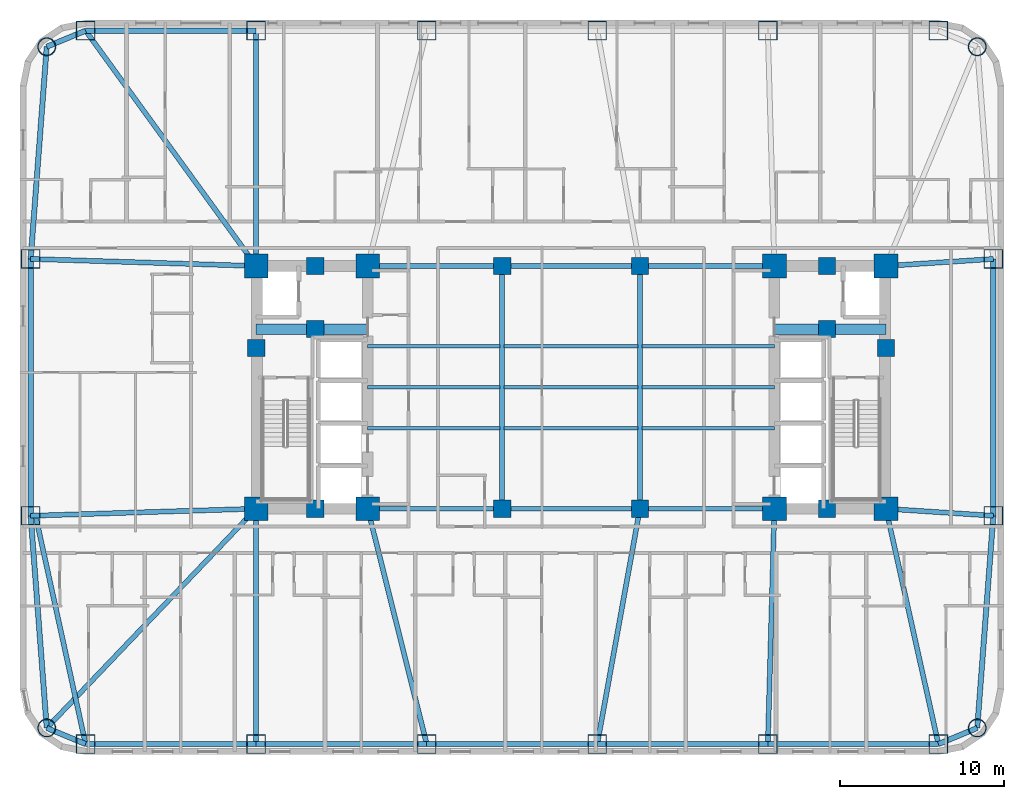
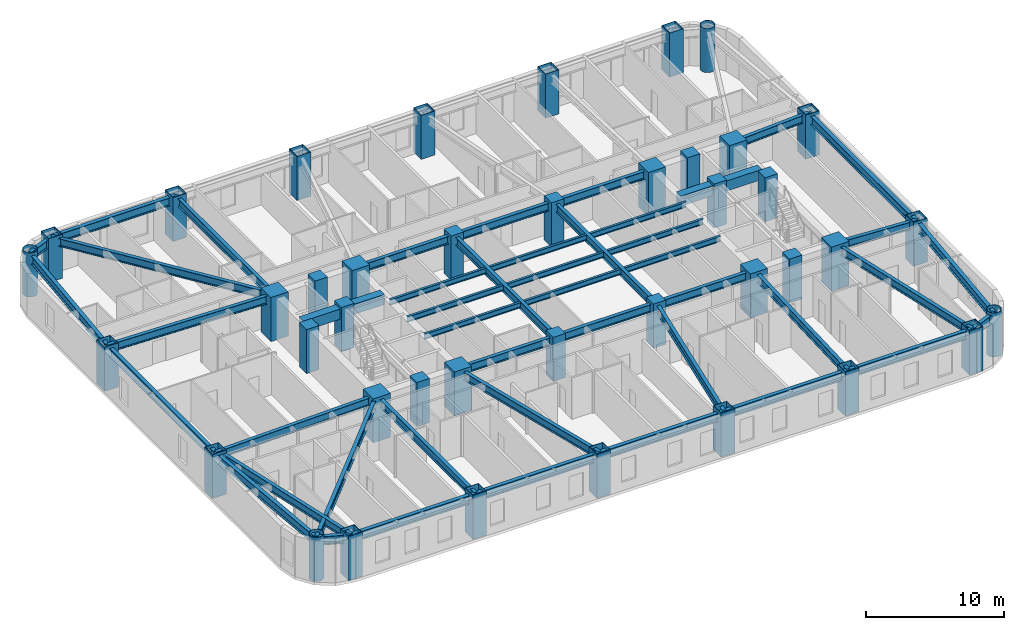
# One storey, part 1 of 11: 46 beams, 40 columns.
"""IFC4 building model written with IfcOpenShell, lengths in metres."""

from ifc_helpers import new_model, si_unit, direction, frame, origin, origin_2d, place, context, subcontext, project, spatial, rectangle, hollow_rectangle, hollow_circle, i_section, extrude, material, material_profile, profile_set, type_object, element, save


model = new_model("IFC4")

# Units and contexts
model_context = context("Model", 3, precision=1e-05, world=origin(), true_north=direction((0.0, 1.0)))
body_context = subcontext(model_context, "Body", "Model", "MODEL_VIEW")
ifc_project = project(units=[si_unit("LENGTHUNIT", "METRE"), si_unit("AREAUNIT", "SQUARE_METRE"), si_unit("VOLUMEUNIT", "CUBIC_METRE"), si_unit("PLANEANGLEUNIT", "RADIAN"), si_unit("MASSUNIT", "GRAM", prefix="KILO")], contexts=[model_context])

# Site, building, storey
site_placement = place(None, origin())
site = spatial("IfcSite", under=ifc_project, at=site_placement, CompositionType="ELEMENT")
building_placement = place(site_placement, origin())
building = spatial("IfcBuilding", under=site, at=building_placement, Name="Voryun Gate Residences", CompositionType="ELEMENT")
storey_placement = place(building_placement, frame((0.0, 0.0, 33.800048828125)))
storey = spatial("IfcBuildingStorey", under=building, at=storey_placement, Name="L07", CompositionType="ELEMENT", Elevation=33.800048828125)

# Columns
ifc_material_1 = material(Name="Concrete C50/60", Category="concrete")
ifc_material_profile_1 = material_profile(ifc_material_1, rectangle(XDim=1.050048828125, YDim=1.050048828125, at=origin_2d()), Name="RC-1050x1050")
ifc_profile_set_1 = profile_set([ifc_material_profile_1], Name="Concrete C50/60")
column_type_1 = type_object("IfcColumnType", Name="COL_CORE_1050", PredefinedType="COLUMN", material=ifc_profile_set_1)
for number, where, z_axis, x_axis, name in (
    (1, (-19.199951171875, 2.39990234375, 0.0), (0.0, 0.0, 1.0), (1.0, 0.0, 0.0), "L07 Core boundary column WC-MW"),
    (2, (-15.60009765625, -7.39990234375, 0.0), (0.0, 0.0, 1.0), (1.0, 0.0, 0.0), "L07 Core boundary column WC-SM"),
    (3, (-15.60009765625, 7.39990234375, 0.0), (0.0, 0.0, 1.0), (1.0, 0.0, 0.0), "L07 Core boundary column WC-NM"),
    (4, (-15.60009765625, 3.550048828125, 0.0), (0.0, 0.0, 1.0), (1.0, 0.0, 0.0), "L07 Core boundary column WC-MM"),
    (5, (15.60009765625, 3.550048828125, 0.0), (0.0, 0.0, 1.0), (1.0, 0.0, 0.0), "L07 Core boundary column EC-MM"),
    (6, (15.60009765625, -7.39990234375, 0.0), (0.0, 0.0, 1.0), (1.0, 0.0, 0.0), "L07 Core boundary column EC-SM"),
    (7, (15.60009765625, 7.39990234375, 0.0), (0.0, 0.0, 1.0), (1.0, 0.0, 0.0), "L07 Core boundary column EC-NM"),
    (8, (19.199951171875, 2.39990234375, 0.0), (0.0, 0.0, 1.0), (1.0, 0.0, 0.0), "L07 Core boundary column EC-ME"),
    (9, (-4.199951171875, -7.39990234375, 0.0), (0.0, 0.0, 1.0), (1.0, 0.0, 0.0), "L07 Interior spine column SP-WS"),
    (10, (-4.199951171875, 7.39990234375, 0.0), (0.0, 0.0, 1.0), (1.0, 0.0, 0.0), "L07 Interior spine column SP-WN"),
    (11, (4.199951171875, -7.39990234375, 0.0), (0.0, 0.0, 1.0), (1.0, 0.0, 0.0), "L07 Interior spine column SP-ES"),
    (12, (4.199951171875, 7.39990234375, 0.0), (0.0, 0.0, 1.0), (1.0, 0.0, 0.0), "L07 Interior spine column SP-EN"),
):
    element("IfcColumn", number, at=place(storey_placement, frame(where, z_axis=z_axis, x_axis=x_axis)), inside=storey, type_object=column_type_1, Name=name, PredefinedType="COLUMN", context=body_context, shape_type="SweptSolid", body=[
        extrude(rectangle(XDim=1.050048828125, YDim=1.050048828125, at=origin_2d()), origin(), (0.0, 0.0, 1.0), 3.89990234375),
    ])
ifc_material_2 = material(Name="Steel SM420", Category="steel")
ifc_material_profile_2 = material_profile(ifc_material_2, hollow_circle(Radius=0.550048828125, WallThickness=0.035888671875, at=origin_2d()), Name="CHS-1100x36")
ifc_profile_set_2 = profile_set([ifc_material_profile_2], Name="Steel SM420")
column_type_2 = type_object("IfcColumnType", Name="COL_CRN_1100", PredefinedType="COLUMN", material=ifc_profile_set_2)
for number, where, z_axis, x_axis, name in (
    (13, (24.768798828125, -20.768798828125, 0.0), (0.0, 0.0, 1.0), (1.0, 0.0, 0.0), "L07 Exoskeleton column CSE"),
    (14, (24.768798828125, 20.768798828125, 0.0), (0.0, 0.0, 1.0), (1.0, 0.0, 0.0), "L07 Exoskeleton column CNE"),
    (15, (-31.96875, 20.768798828125, 0.0), (0.0, 0.0, 1.0), (1.0, 0.0, 0.0), "L07 Exoskeleton column CNW"),
    (16, (-31.96875, -20.768798828125, 0.0), (0.0, 0.0, 1.0), (1.0, 0.0, 0.0), "L07 Exoskeleton column CSW"),
):
    element("IfcColumn", number, at=place(storey_placement, frame(where, z_axis=z_axis, x_axis=x_axis)), inside=storey, type_object=column_type_2, Name=name, PredefinedType="COLUMN", context=body_context, shape_type="SweptSolid", body=[
        extrude(hollow_circle(Radius=0.550048828125, WallThickness=0.035888671875, at=origin_2d()), origin(), (0.0, 0.0, 1.0), 3.89990234375),
    ])
ifc_material_3 = material(Name="Steel SM420", Category="steel")
ifc_material_profile_3 = material_profile(ifc_material_3, hollow_rectangle(XDim=1.14990234375, YDim=1.14990234375, WallThickness=0.0400390625, at=origin_2d()), Name="BOX-1150x1150x40")
ifc_profile_set_3 = profile_set([ifc_material_profile_3], Name="Steel SM420")
column_type_3 = type_object("IfcColumnType", Name="COL_EXO_B1", PredefinedType="COLUMN", material=ifc_profile_set_3)
for number, where, z_axis, x_axis, name in (
    (17, (-29.60009765625, -21.75, 0.0), (0.0, 0.0, 1.0), (1.0, 0.0, 0.0), "L07 Exoskeleton column S1"),
    (18, (-19.199951171875, -21.75, 0.0), (0.0, 0.0, 1.0), (1.0, 0.0, 0.0), "L07 Exoskeleton column S2"),
    (19, (-8.800048828125, -21.75, 0.0), (0.0, 0.0, 1.0), (1.0, 0.0, 0.0), "L07 Exoskeleton column S3"),
    (20, (1.60009765625, -21.75, 0.0), (0.0, 0.0, 1.0), (1.0, 0.0, 0.0), "L07 Exoskeleton column S4"),
    (21, (12.0, -21.75, 0.0), (0.0, 0.0, 1.0), (1.0, 0.0, 0.0), "L07 Exoskeleton column S5"),
    (22, (22.39990234375, -21.75, 0.0), (0.0, 0.0, 1.0), (1.0, 0.0, 0.0), "L07 Exoskeleton column S6"),
    (23, (25.75, -7.830078125, 0.0), (0.0, 0.0, 1.0), (1.0, 0.0, 0.0), "L07 Exoskeleton column E1"),
    (24, (25.75, 7.830078125, 0.0), (0.0, 0.0, 1.0), (1.0, 0.0, 0.0), "L07 Exoskeleton column E2"),
    (25, (22.39990234375, 21.75, 0.0), (0.0, 0.0, 1.0), (1.0, 0.0, 0.0), "L07 Exoskeleton column N1"),
    (26, (12.0, 21.75, 0.0), (0.0, 0.0, 1.0), (1.0, 0.0, 0.0), "L07 Exoskeleton column N2"),
    (27, (1.60009765625, 21.75, 0.0), (0.0, 0.0, 1.0), (1.0, 0.0, 0.0), "L07 Exoskeleton column N3"),
    (28, (-8.800048828125, 21.75, 0.0), (0.0, 0.0, 1.0), (1.0, 0.0, 0.0), "L07 Exoskeleton column N4"),
    (29, (-19.199951171875, 21.75, 0.0), (0.0, 0.0, 1.0), (1.0, 0.0, 0.0), "L07 Exoskeleton column N5"),
    (30, (-29.60009765625, 21.75, 0.0), (0.0, 0.0, 1.0), (1.0, 0.0, 0.0), "L07 Exoskeleton column N6"),
    (31, (-32.949951171875, 7.830078125, 0.0), (0.0, 0.0, 1.0), (1.0, 0.0, 0.0), "L07 Exoskeleton column W1"),
    (32, (-32.949951171875, -7.830078125, 0.0), (0.0, 0.0, 1.0), (1.0, 0.0, 0.0), "L07 Exoskeleton column W2"),
):
    element("IfcColumn", number, at=place(storey_placement, frame(where, z_axis=z_axis, x_axis=x_axis)), inside=storey, type_object=column_type_3, Name=name, PredefinedType="COLUMN", context=body_context, shape_type="SweptSolid", body=[
        extrude(hollow_rectangle(XDim=1.14990234375, YDim=1.14990234375, WallThickness=0.0400390625, at=origin_2d()), origin(), (0.0, 0.0, 1.0), 3.89990234375),
    ])
ifc_material_4 = material(Name="Concrete C60/75", Category="concrete")
ifc_material_profile_4 = material_profile(ifc_material_4, rectangle(XDim=1.449951171875, YDim=1.449951171875, at=origin_2d()), Name="RC-1450x1450")
ifc_profile_set_4 = profile_set([ifc_material_profile_4], Name="Concrete C60/75")
column_type_4 = type_object("IfcColumnType", Name="COL_MEGA_1450", PredefinedType="COLUMN", material=ifc_profile_set_4)
for number, where, z_axis, x_axis, name in (
    (33, (-19.199951171875, -7.39990234375, 0.0), (0.0, 0.0, 1.0), (1.0, 0.0, 0.0), "L07 Core boundary column WC-SW"),
    (34, (-19.199951171875, 7.39990234375, 0.0), (0.0, 0.0, 1.0), (1.0, 0.0, 0.0), "L07 Core boundary column WC-NW"),
    (35, (-12.39990234375, -7.39990234375, 0.0), (0.0, 0.0, 1.0), (1.0, 0.0, 0.0), "L07 Core boundary column WC-SE"),
    (36, (-12.39990234375, 7.39990234375, 0.0), (0.0, 0.0, 1.0), (1.0, 0.0, 0.0), "L07 Core boundary column WC-NE"),
    (37, (12.39990234375, -7.39990234375, 0.0), (0.0, 0.0, 1.0), (1.0, 0.0, 0.0), "L07 Core boundary column EC-SW"),
    (38, (12.39990234375, 7.39990234375, 0.0), (0.0, 0.0, 1.0), (1.0, 0.0, 0.0), "L07 Core boundary column EC-NW"),
    (39, (19.199951171875, -7.39990234375, 0.0), (0.0, 0.0, 1.0), (1.0, 0.0, 0.0), "L07 Core boundary column EC-SE"),
    (40, (19.199951171875, 7.39990234375, 0.0), (0.0, 0.0, 1.0), (1.0, 0.0, 0.0), "L07 Core boundary column EC-NE"),
):
    element("IfcColumn", number, at=place(storey_placement, frame(where, z_axis=z_axis, x_axis=x_axis)), inside=storey, type_object=column_type_4, Name=name, PredefinedType="COLUMN", context=body_context, shape_type="SweptSolid", body=[
        extrude(rectangle(XDim=1.449951171875, YDim=1.449951171875, at=origin_2d()), origin(), (0.0, 0.0, 1.0), 3.89990234375),
    ])

# Beams
ifc_material_5 = material(Name="Concrete C60/75", Category="concrete")
ifc_material_profile_5 = material_profile(ifc_material_5, rectangle(XDim=0.64990234375, YDim=0.89990234375, at=origin_2d()), Name="RC-650x900")
ifc_profile_set_5 = profile_set([ifc_material_profile_5], Name="Concrete C60/75")
beam_type_1 = type_object("IfcBeamType", Name="BM_COUP_RC900", PredefinedType="LINTEL", material=ifc_profile_set_5)
for number, where, z_axis, x_axis, name in (
    (41, (-19.199951171875, 3.550048828125, 3.199951171875), (1.0, 0.0, 0.0), (0.0, 1.0, 0.0), "BM-L07-WC1"),
    (42, (12.39990234375, 3.550048828125, 3.199951171875), (1.0, 0.0, 0.0), (0.0, 1.0, 0.0), "BM-L07-EC1"),
):
    element("IfcBeam", number, at=place(storey_placement, frame(where, z_axis=z_axis, x_axis=x_axis)), inside=storey, type_object=beam_type_1, Name=name, PredefinedType="LINTEL", context=body_context, shape_type="SweptSolid", body=[
        extrude(rectangle(XDim=0.64990234375, YDim=0.89990234375, at=origin_2d()), origin(), (0.0, 0.0, 1.0), 6.800048828125),
    ])
ifc_material_6 = material(Name="Steel SM355", Category="steel")
ifc_material_profile_6 = material_profile(ifc_material_6, i_section(OverallWidth=0.320068359375, OverallDepth=0.75, WebThickness=0.01611328125, FlangeThickness=0.028076171875, FilletRadius=0.01806640625, at=origin_2d()), Name="H-750x320x16x28")
ifc_profile_set_6 = profile_set([ifc_material_profile_6], Name="Steel SM355")
beam_type_2 = type_object("IfcBeamType", Name="BM_EXO_SPANDREL_L", PredefinedType="SPANDREL", material=ifc_profile_set_6)
beam_1_placement = place(storey_placement, frame((-29.60009765625, -21.75, 3.27490234375), z_axis=(1.0, 0.0, 0.0), x_axis=(0.0, 1.0, 0.0)))
element("IfcBeam", 43, at=beam_1_placement, inside=storey, type_object=beam_type_2, Name="BM-L07-SPAND-01", PredefinedType="SPANDREL", context=body_context, shape_type="SweptSolid", body=[
    extrude(i_section(OverallWidth=0.320068359375, OverallDepth=0.75, WebThickness=0.01611328125, FlangeThickness=0.028076171875, FilletRadius=0.01806640625, at=origin_2d()), origin(), (0.0, 0.0, 1.0), 10.400146484375),
])
beam_2_placement = place(storey_placement, frame((-19.199951171875, -21.75, 3.27490234375), z_axis=(1.0, 0.0, 0.0), x_axis=(0.0, 1.0, 0.0)))
element("IfcBeam", 44, at=beam_2_placement, inside=storey, type_object=beam_type_2, Name="BM-L07-SPAND-02", PredefinedType="SPANDREL", context=body_context, shape_type="SweptSolid", body=[
    extrude(i_section(OverallWidth=0.320068359375, OverallDepth=0.75, WebThickness=0.01611328125, FlangeThickness=0.028076171875, FilletRadius=0.01806640625, at=origin_2d()), origin(), (0.0, 0.0, 1.0), 10.39990234375),
])
beam_3_placement = place(storey_placement, frame((-8.800048828125, -21.75, 3.27490234375), z_axis=(1.0, 0.0, 0.0), x_axis=(0.0, 1.0, 0.0)))
element("IfcBeam", 45, at=beam_3_placement, inside=storey, type_object=beam_type_2, Name="BM-L07-SPAND-03", PredefinedType="SPANDREL", context=body_context, shape_type="SweptSolid", body=[
    extrude(i_section(OverallWidth=0.320068359375, OverallDepth=0.75, WebThickness=0.01611328125, FlangeThickness=0.028076171875, FilletRadius=0.01806640625, at=origin_2d()), origin(), (0.0, 0.0, 1.0), 10.400146484375),
])
for number, where, z_axis, x_axis, name in (
    (46, (1.60009765625, -21.75, 3.27490234375), (1.0, 0.0, 0.0), (0.0, 1.0, 0.0), "BM-L07-SPAND-04"),
    (47, (12.0, -21.75, 3.27490234375), (1.0, 0.0, 0.0), (0.0, 1.0, 0.0), "BM-L07-SPAND-05"),
):
    element("IfcBeam", number, at=place(storey_placement, frame(where, z_axis=z_axis, x_axis=x_axis)), inside=storey, type_object=beam_type_2, Name=name, PredefinedType="SPANDREL", context=body_context, shape_type="SweptSolid", body=[
        extrude(i_section(OverallWidth=0.320068359375, OverallDepth=0.75, WebThickness=0.01611328125, FlangeThickness=0.028076171875, FilletRadius=0.01806640625, at=origin_2d()), origin(), (0.0, 0.0, 1.0), 10.39990234375),
    ])
beam_4_placement = place(storey_placement, frame((22.39990234375, -21.75, 3.27490234375), z_axis=(0.923883376753, 0.382674151414, 0.0), x_axis=(-0.382674151414, 0.923883376753, 0.0)))
element("IfcBeam", 48, at=beam_4_placement, inside=storey, type_object=beam_type_2, Name="BM-L07-SPAND-06", PredefinedType="SPANDREL", context=body_context, shape_type="SweptSolid", body=[
    extrude(i_section(OverallWidth=0.320068359375, OverallDepth=0.75, WebThickness=0.01611328125, FlangeThickness=0.028076171875, FilletRadius=0.01806640625, at=origin_2d()), origin(), (0.0, 0.0, 1.0), 2.56396484375),
])
beam_5_placement = place(storey_placement, frame((24.768798828125, -20.768798828125, 3.27490234375), z_axis=(0.075617360159, 0.997136908776, 0.0), x_axis=(-0.997136908776, 0.075617360159, 0.0)))
element("IfcBeam", 49, at=beam_5_placement, inside=storey, type_object=beam_type_2, Name="BM-L07-SPAND-07", PredefinedType="SPANDREL", context=body_context, shape_type="SweptSolid", body=[
    extrude(i_section(OverallWidth=0.320068359375, OverallDepth=0.75, WebThickness=0.01611328125, FlangeThickness=0.028076171875, FilletRadius=0.01806640625, at=origin_2d()), origin(), (0.0, 0.0, 1.0), 12.975830078125),
])
beam_6_placement = place(storey_placement, frame((25.75, -7.830078125, 3.27490234375), z_axis=(0.0, 1.0, 0.0), x_axis=(-1.0, 0.0, 0.0)))
element("IfcBeam", 50, at=beam_6_placement, inside=storey, type_object=beam_type_2, Name="BM-L07-SPAND-08", PredefinedType="SPANDREL", context=body_context, shape_type="SweptSolid", body=[
    extrude(i_section(OverallWidth=0.320068359375, OverallDepth=0.75, WebThickness=0.01611328125, FlangeThickness=0.028076171875, FilletRadius=0.01806640625, at=origin_2d()), origin(), (0.0, 0.0, 1.0), 15.66015625),
])
beam_7_placement = place(storey_placement, frame((-19.199951171875, 21.75, 3.27490234375), z_axis=(-1.0, 0.0, 0.0), x_axis=(0.0, -1.0, 0.0)))
element("IfcBeam", 51, at=beam_7_placement, inside=storey, type_object=beam_type_2, Name="BM-L07-SPAND-15", PredefinedType="SPANDREL", context=body_context, shape_type="SweptSolid", body=[
    extrude(i_section(OverallWidth=0.320068359375, OverallDepth=0.75, WebThickness=0.01611328125, FlangeThickness=0.028076171875, FilletRadius=0.01806640625, at=origin_2d()), origin(), (0.0, 0.0, 1.0), 10.400146484375),
])
beam_8_placement = place(storey_placement, frame((-29.60009765625, 21.75, 3.27490234375), z_axis=(-0.92386943149, -0.382707817477, 0.0), x_axis=(0.382707817477, -0.92386943149, 0.0)))
element("IfcBeam", 52, at=beam_8_placement, inside=storey, type_object=beam_type_2, Name="BM-L07-SPAND-16", PredefinedType="SPANDREL", context=body_context, shape_type="SweptSolid", body=[
    extrude(i_section(OverallWidth=0.320068359375, OverallDepth=0.75, WebThickness=0.01611328125, FlangeThickness=0.028076171875, FilletRadius=0.01806640625, at=origin_2d()), origin(), (0.0, 0.0, 1.0), 2.563720703125),
])
beam_9_placement = place(storey_placement, frame((-31.96875, 20.768798828125, 3.27490234375), z_axis=(-0.075617360159, -0.997136908776, 0.0), x_axis=(0.997136908776, -0.075617360159, 0.0)))
element("IfcBeam", 53, at=beam_9_placement, inside=storey, type_object=beam_type_2, Name="BM-L07-SPAND-17", PredefinedType="SPANDREL", context=body_context, shape_type="SweptSolid", body=[
    extrude(i_section(OverallWidth=0.320068359375, OverallDepth=0.75, WebThickness=0.01611328125, FlangeThickness=0.028076171875, FilletRadius=0.01806640625, at=origin_2d()), origin(), (0.0, 0.0, 1.0), 12.975830078125),
])
beam_10_placement = place(storey_placement, frame((-32.949951171875, 7.830078125, 3.27490234375), z_axis=(0.0, -1.0, 0.0), x_axis=(1.0, 0.0, 0.0)))
element("IfcBeam", 54, at=beam_10_placement, inside=storey, type_object=beam_type_2, Name="BM-L07-SPAND-18", PredefinedType="SPANDREL", context=body_context, shape_type="SweptSolid", body=[
    extrude(i_section(OverallWidth=0.320068359375, OverallDepth=0.75, WebThickness=0.01611328125, FlangeThickness=0.028076171875, FilletRadius=0.01806640625, at=origin_2d()), origin(), (0.0, 0.0, 1.0), 15.66015625),
])
beam_11_placement = place(storey_placement, frame((-32.949951171875, -7.830078125, 3.27490234375), z_axis=(0.075617360159, -0.997136908776, 0.0), x_axis=(0.997136908776, 0.075617360159, 0.0)))
element("IfcBeam", 55, at=beam_11_placement, inside=storey, type_object=beam_type_2, Name="BM-L07-SPAND-19", PredefinedType="SPANDREL", context=body_context, shape_type="SweptSolid", body=[
    extrude(i_section(OverallWidth=0.320068359375, OverallDepth=0.75, WebThickness=0.01611328125, FlangeThickness=0.028076171875, FilletRadius=0.01806640625, at=origin_2d()), origin(), (0.0, 0.0, 1.0), 12.975830078125),
])
beam_12_placement = place(storey_placement, frame((-31.96875, -20.768798828125, 3.27490234375), z_axis=(0.92386943149, -0.382707817477, 0.0), x_axis=(0.382707817477, 0.92386943149, 0.0)))
element("IfcBeam", 56, at=beam_12_placement, inside=storey, type_object=beam_type_2, Name="BM-L07-SPAND-20", PredefinedType="SPANDREL", context=body_context, shape_type="SweptSolid", body=[
    extrude(i_section(OverallWidth=0.320068359375, OverallDepth=0.75, WebThickness=0.01611328125, FlangeThickness=0.028076171875, FilletRadius=0.01806640625, at=origin_2d()), origin(), (0.0, 0.0, 1.0), 2.563720703125),
])
ifc_material_7 = material(Name="Steel SM355", Category="steel")
ifc_material_profile_7 = material_profile(ifc_material_7, i_section(OverallWidth=0.300048828125, OverallDepth=0.699951171875, WebThickness=0.012939453125, FlangeThickness=0.02392578125, FilletRadius=0.01806640625, at=origin_2d()), Name="H-700x300x13x24")
ifc_profile_set_7 = profile_set([ifc_material_profile_7], Name="Steel SM355")
beam_type_3 = type_object("IfcBeamType", Name="BM_GIRD_700", PredefinedType="USERDEFINED", material=ifc_profile_set_7)
beam_13_placement = place(storey_placement, frame((-12.39990234375, -7.39990234375, 3.300048828125), z_axis=(1.0, 0.0, 0.0), x_axis=(0.0, 1.0, 0.0)))
element("IfcBeam", 57, at=beam_13_placement, inside=storey, type_object=beam_type_3, Name="BM-L07-SPG1-S", ObjectType="GIRDER", PredefinedType="USERDEFINED", context=body_context, shape_type="SweptSolid", body=[
    extrude(i_section(OverallWidth=0.300048828125, OverallDepth=0.699951171875, WebThickness=0.012939453125, FlangeThickness=0.02392578125, FilletRadius=0.01806640625, at=origin_2d()), origin(), (0.0, 0.0, 1.0), 8.199951171875),
])
beam_14_placement = place(storey_placement, frame((-4.199951171875, -7.39990234375, 3.300048828125), z_axis=(1.0, 0.0, 0.0), x_axis=(0.0, 1.0, 0.0)))
element("IfcBeam", 58, at=beam_14_placement, inside=storey, type_object=beam_type_3, Name="BM-L07-SPG2-S", ObjectType="GIRDER", PredefinedType="USERDEFINED", context=body_context, shape_type="SweptSolid", body=[
    extrude(i_section(OverallWidth=0.300048828125, OverallDepth=0.699951171875, WebThickness=0.012939453125, FlangeThickness=0.02392578125, FilletRadius=0.01806640625, at=origin_2d()), origin(), (0.0, 0.0, 1.0), 8.39990234375),
])
for number, where, z_axis, x_axis, name in (
    (59, (4.199951171875, -7.39990234375, 3.300048828125), (1.0, 0.0, 0.0), (0.0, 1.0, 0.0), "BM-L07-SPG3-S"),
    (60, (-12.39990234375, 7.39990234375, 3.300048828125), (1.0, 0.0, 0.0), (0.0, 1.0, 0.0), "BM-L07-SPG1-N"),
):
    element("IfcBeam", number, at=place(storey_placement, frame(where, z_axis=z_axis, x_axis=x_axis)), inside=storey, type_object=beam_type_3, Name=name, ObjectType="GIRDER", PredefinedType="USERDEFINED", context=body_context, shape_type="SweptSolid", body=[
        extrude(i_section(OverallWidth=0.300048828125, OverallDepth=0.699951171875, WebThickness=0.012939453125, FlangeThickness=0.02392578125, FilletRadius=0.01806640625, at=origin_2d()), origin(), (0.0, 0.0, 1.0), 8.199951171875),
    ])
beam_15_placement = place(storey_placement, frame((-4.199951171875, 7.39990234375, 3.300048828125), z_axis=(1.0, 0.0, 0.0), x_axis=(0.0, 1.0, 0.0)))
element("IfcBeam", 61, at=beam_15_placement, inside=storey, type_object=beam_type_3, Name="BM-L07-SPG2-N", ObjectType="GIRDER", PredefinedType="USERDEFINED", context=body_context, shape_type="SweptSolid", body=[
    extrude(i_section(OverallWidth=0.300048828125, OverallDepth=0.699951171875, WebThickness=0.012939453125, FlangeThickness=0.02392578125, FilletRadius=0.01806640625, at=origin_2d()), origin(), (0.0, 0.0, 1.0), 8.39990234375),
])
beam_16_placement = place(storey_placement, frame((4.199951171875, 7.39990234375, 3.300048828125), z_axis=(1.0, 0.0, 0.0), x_axis=(0.0, 1.0, 0.0)))
element("IfcBeam", 62, at=beam_16_placement, inside=storey, type_object=beam_type_3, Name="BM-L07-SPG3-N", ObjectType="GIRDER", PredefinedType="USERDEFINED", context=body_context, shape_type="SweptSolid", body=[
    extrude(i_section(OverallWidth=0.300048828125, OverallDepth=0.699951171875, WebThickness=0.012939453125, FlangeThickness=0.02392578125, FilletRadius=0.01806640625, at=origin_2d()), origin(), (0.0, 0.0, 1.0), 8.199951171875),
])
for number, where, z_axis, x_axis, name in (
    (63, (-4.199951171875, -7.39990234375, 3.300048828125), (0.0, 1.0, 0.0), (-1.0, 0.0, 0.0), "BM-L07-SPX-W"),
    (64, (4.199951171875, -7.39990234375, 3.300048828125), (0.0, 1.0, 0.0), (-1.0, 0.0, 0.0), "BM-L07-SPX-E"),
):
    element("IfcBeam", number, at=place(storey_placement, frame(where, z_axis=z_axis, x_axis=x_axis)), inside=storey, type_object=beam_type_3, Name=name, ObjectType="GIRDER", PredefinedType="USERDEFINED", context=body_context, shape_type="SweptSolid", body=[
        extrude(i_section(OverallWidth=0.300048828125, OverallDepth=0.699951171875, WebThickness=0.012939453125, FlangeThickness=0.02392578125, FilletRadius=0.01806640625, at=origin_2d()), origin(), (0.0, 0.0, 1.0), 14.7998046875),
    ])
beam_17_placement = place(storey_placement, frame((-32.64990234375, -7.830078125, 3.300048828125), z_axis=(0.214019782918, -0.976829326198, 0.0), x_axis=(0.976829326198, 0.214019782918, 0.0)))
element("IfcBeam", 65, at=beam_17_placement, inside=storey, type_object=beam_type_3, Name="BM-L07-RAD-S1", ObjectType="GIRDER", PredefinedType="USERDEFINED", context=body_context, shape_type="SweptSolid", body=[
    extrude(i_section(OverallWidth=0.300048828125, OverallDepth=0.699951171875, WebThickness=0.012939453125, FlangeThickness=0.02392578125, FilletRadius=0.01806640625, at=origin_2d()), origin(), (0.0, 0.0, 1.0), 14.25),
])
beam_18_placement = place(storey_placement, frame((-19.199951171875, -7.39990234375, 3.300048828125), z_axis=(0.0, -1.0, 0.0), x_axis=(1.0, 0.0, 0.0)))
element("IfcBeam", 66, at=beam_18_placement, inside=storey, type_object=beam_type_3, Name="BM-L07-RAD-S2", ObjectType="GIRDER", PredefinedType="USERDEFINED", context=body_context, shape_type="SweptSolid", body=[
    extrude(i_section(OverallWidth=0.300048828125, OverallDepth=0.699951171875, WebThickness=0.012939453125, FlangeThickness=0.02392578125, FilletRadius=0.01806640625, at=origin_2d()), origin(), (0.0, 0.0, 1.0), 14.35009765625),
])
beam_19_placement = place(storey_placement, frame((-12.39990234375, -7.39990234375, 3.300048828125), z_axis=(0.243319869291, -0.969946102218, 0.0), x_axis=(0.969946102218, 0.243319869291, 0.0)))
element("IfcBeam", 67, at=beam_19_placement, inside=storey, type_object=beam_type_3, Name="BM-L07-RAD-S3", ObjectType="GIRDER", PredefinedType="USERDEFINED", context=body_context, shape_type="SweptSolid", body=[
    extrude(i_section(OverallWidth=0.300048828125, OverallDepth=0.699951171875, WebThickness=0.012939453125, FlangeThickness=0.02392578125, FilletRadius=0.01806640625, at=origin_2d()), origin(), (0.0, 0.0, 1.0), 14.794677734375),
])
beam_20_placement = place(storey_placement, frame((4.199951171875, -7.39990234375, 3.300048828125), z_axis=(-0.178271088758, -0.983981411874, 0.0), x_axis=(0.983981411874, -0.178271088758, 0.0)))
element("IfcBeam", 68, at=beam_20_placement, inside=storey, type_object=beam_type_3, Name="BM-L07-RAD-S4", ObjectType="GIRDER", PredefinedType="USERDEFINED", context=body_context, shape_type="SweptSolid", body=[
    extrude(i_section(OverallWidth=0.300048828125, OverallDepth=0.699951171875, WebThickness=0.012939453125, FlangeThickness=0.02392578125, FilletRadius=0.01806640625, at=origin_2d()), origin(), (0.0, 0.0, 1.0), 14.583740234375),
])
beam_21_placement = place(storey_placement, frame((12.39990234375, -7.39990234375, 3.300048828125), z_axis=(-0.0278567548, -0.999611925305, 0.0), x_axis=(0.999611925305, -0.0278567548, 0.0)))
element("IfcBeam", 69, at=beam_21_placement, inside=storey, type_object=beam_type_3, Name="BM-L07-RAD-S5", ObjectType="GIRDER", PredefinedType="USERDEFINED", context=body_context, shape_type="SweptSolid", body=[
    extrude(i_section(OverallWidth=0.300048828125, OverallDepth=0.699951171875, WebThickness=0.012939453125, FlangeThickness=0.02392578125, FilletRadius=0.01806640625, at=origin_2d()), origin(), (0.0, 0.0, 1.0), 14.355712890625),
])
beam_22_placement = place(storey_placement, frame((19.199951171875, -7.39990234375, 3.300048828125), z_axis=(0.217645991352, -0.976027777498, 0.0), x_axis=(0.976027777498, 0.217645991352, 0.0)))
element("IfcBeam", 70, at=beam_22_placement, inside=storey, type_object=beam_type_3, Name="BM-L07-RAD-S6", ObjectType="GIRDER", PredefinedType="USERDEFINED", context=body_context, shape_type="SweptSolid", body=[
    extrude(i_section(OverallWidth=0.300048828125, OverallDepth=0.699951171875, WebThickness=0.012939453125, FlangeThickness=0.02392578125, FilletRadius=0.01806640625, at=origin_2d()), origin(), (0.0, 0.0, 1.0), 14.70263671875),
])
for number, where, z_axis, x_axis, name in (
    (71, (19.199951171875, -7.39990234375, 3.300048828125), (0.997850335415, -0.06553402255, 0.0), (0.06553402255, 0.997850335415, 0.0), "BM-L07-RAD-E1"),
    (72, (19.199951171875, 7.39990234375, 3.300048828125), (0.997850335415, 0.06553402255, 0.0), (-0.06553402255, 0.997850335415, 0.0), "BM-L07-RAD-E2"),
):
    element("IfcBeam", number, at=place(storey_placement, frame(where, z_axis=z_axis, x_axis=x_axis)), inside=storey, type_object=beam_type_3, Name=name, ObjectType="GIRDER", PredefinedType="USERDEFINED", context=body_context, shape_type="SweptSolid", body=[
        extrude(i_section(OverallWidth=0.300048828125, OverallDepth=0.699951171875, WebThickness=0.012939453125, FlangeThickness=0.02392578125, FilletRadius=0.01806640625, at=origin_2d()), origin(), (0.0, 0.0, 1.0), 6.564208984375),
    ])
beam_23_placement = place(storey_placement, frame((-19.199951171875, 7.39990234375, 3.300048828125), z_axis=(0.0, 1.0, 0.0), x_axis=(-1.0, 0.0, 0.0)))
element("IfcBeam", 73, at=beam_23_placement, inside=storey, type_object=beam_type_3, Name="BM-L07-RAD-N5", ObjectType="GIRDER", PredefinedType="USERDEFINED", context=body_context, shape_type="SweptSolid", body=[
    extrude(i_section(OverallWidth=0.300048828125, OverallDepth=0.699951171875, WebThickness=0.012939453125, FlangeThickness=0.02392578125, FilletRadius=0.01806640625, at=origin_2d()), origin(), (0.0, 0.0, 1.0), 14.35009765625),
])
beam_24_placement = place(storey_placement, frame((-19.199951171875, 7.39990234375, 3.300048828125), z_axis=(-0.586831668391, 0.80970895572, 0.0), x_axis=(-0.80970895572, -0.586831668391, 0.0)))
element("IfcBeam", 74, at=beam_24_placement, inside=storey, type_object=beam_type_3, Name="BM-L07-RAD-N6", ObjectType="GIRDER", PredefinedType="USERDEFINED", context=body_context, shape_type="SweptSolid", body=[
    extrude(i_section(OverallWidth=0.300048828125, OverallDepth=0.699951171875, WebThickness=0.012939453125, FlangeThickness=0.02392578125, FilletRadius=0.01806640625, at=origin_2d()), origin(), (0.0, 0.0, 1.0), 17.72265625),
])
for number, where, z_axis, x_axis, name in (
    (75, (-19.199951171875, 7.39990234375, 3.300048828125), (-0.999510967353, 0.031270211727, 0.0), (-0.031270211727, -0.999510967353, 0.0), "BM-L07-RAD-W1"),
    (76, (-19.199951171875, -7.39990234375, 3.300048828125), (-0.999510967353, -0.031270211727, 0.0), (0.031270211727, -0.999510967353, 0.0), "BM-L07-RAD-W2"),
):
    element("IfcBeam", number, at=place(storey_placement, frame(where, z_axis=z_axis, x_axis=x_axis)), inside=storey, type_object=beam_type_3, Name=name, ObjectType="GIRDER", PredefinedType="USERDEFINED", context=body_context, shape_type="SweptSolid", body=[
        extrude(i_section(OverallWidth=0.300048828125, OverallDepth=0.699951171875, WebThickness=0.012939453125, FlangeThickness=0.02392578125, FilletRadius=0.01806640625, at=origin_2d()), origin(), (0.0, 0.0, 1.0), 13.7568359375),
    ])
beam_25_placement = place(storey_placement, frame((-19.199951171875, -7.39990234375, 3.300048828125), z_axis=(-0.69069023987, -0.723150739852, 0.0), x_axis=(0.723150739852, -0.69069023987, 0.0)))
element("IfcBeam", 77, at=beam_25_placement, inside=storey, type_object=beam_type_3, Name="BM-L07-RAD-CSW", ObjectType="GIRDER", PredefinedType="USERDEFINED", context=body_context, shape_type="SweptSolid", body=[
    extrude(i_section(OverallWidth=0.300048828125, OverallDepth=0.699951171875, WebThickness=0.012939453125, FlangeThickness=0.02392578125, FilletRadius=0.01806640625, at=origin_2d()), origin(), (0.0, 0.0, 1.0), 18.487060546875),
])
ifc_material_8 = material(Name="Steel SM355", Category="steel")
ifc_material_profile_8 = material_profile(ifc_material_8, i_section(OverallWidth=0.199951171875, OverallDepth=0.47998046875, WebThickness=0.010009765625, FlangeThickness=0.01806640625, FilletRadius=0.01806640625, at=origin_2d()), Name="H-480x200x10x18")
ifc_profile_set_8 = profile_set([ifc_material_profile_8], Name="Steel SM355")
beam_type_4 = type_object("IfcBeamType", Name="BM_SEC_480", PredefinedType="BEAM", material=ifc_profile_set_8)
beam_26_placement = place(storey_placement, frame((-12.39990234375, -2.5, 3.409912109375), z_axis=(1.0, 0.0, 0.0), x_axis=(0.0, 1.0, 0.0)))
element("IfcBeam", 78, at=beam_26_placement, inside=storey, type_object=beam_type_4, Name="BM-L07-SEC-CS1", PredefinedType="BEAM", context=body_context, shape_type="SweptSolid", body=[
    extrude(i_section(OverallWidth=0.199951171875, OverallDepth=0.47998046875, WebThickness=0.010009765625, FlangeThickness=0.01806640625, FilletRadius=0.01806640625, at=origin_2d()), origin(), (0.0, 0.0, 1.0), 8.074951171875),
])
beam_27_placement = place(storey_placement, frame((-4.074951171875, -2.5, 3.409912109375), z_axis=(1.0, 0.0, 0.0), x_axis=(0.0, 1.0, 0.0)))
element("IfcBeam", 79, at=beam_27_placement, inside=storey, type_object=beam_type_4, Name="BM-L07-SEC-CS2", PredefinedType="BEAM", context=body_context, shape_type="SweptSolid", body=[
    extrude(i_section(OverallWidth=0.199951171875, OverallDepth=0.47998046875, WebThickness=0.010009765625, FlangeThickness=0.01806640625, FilletRadius=0.01806640625, at=origin_2d()), origin(), (0.0, 0.0, 1.0), 8.14990234375),
])
for number, where, z_axis, x_axis, name in (
    (80, (4.324951171875, -2.5, 3.409912109375), (1.0, 0.0, 0.0), (0.0, 1.0, 0.0), "BM-L07-SEC-CS3"),
    (81, (-12.39990234375, 0.0, 3.409912109375), (1.0, 0.0, 0.0), (0.0, 1.0, 0.0), "BM-L07-SEC-CM1"),
):
    element("IfcBeam", number, at=place(storey_placement, frame(where, z_axis=z_axis, x_axis=x_axis)), inside=storey, type_object=beam_type_4, Name=name, PredefinedType="BEAM", context=body_context, shape_type="SweptSolid", body=[
        extrude(i_section(OverallWidth=0.199951171875, OverallDepth=0.47998046875, WebThickness=0.010009765625, FlangeThickness=0.01806640625, FilletRadius=0.01806640625, at=origin_2d()), origin(), (0.0, 0.0, 1.0), 8.074951171875),
    ])
beam_28_placement = place(storey_placement, frame((-4.074951171875, 0.0, 3.409912109375), z_axis=(1.0, 0.0, 0.0), x_axis=(0.0, 1.0, 0.0)))
element("IfcBeam", 82, at=beam_28_placement, inside=storey, type_object=beam_type_4, Name="BM-L07-SEC-CM2", PredefinedType="BEAM", context=body_context, shape_type="SweptSolid", body=[
    extrude(i_section(OverallWidth=0.199951171875, OverallDepth=0.47998046875, WebThickness=0.010009765625, FlangeThickness=0.01806640625, FilletRadius=0.01806640625, at=origin_2d()), origin(), (0.0, 0.0, 1.0), 8.14990234375),
])
for number, where, z_axis, x_axis, name in (
    (83, (4.324951171875, 0.0, 3.409912109375), (1.0, 0.0, 0.0), (0.0, 1.0, 0.0), "BM-L07-SEC-CM3"),
    (84, (-12.39990234375, 2.5, 3.409912109375), (1.0, 0.0, 0.0), (0.0, 1.0, 0.0), "BM-L07-SEC-CN1"),
):
    element("IfcBeam", number, at=place(storey_placement, frame(where, z_axis=z_axis, x_axis=x_axis)), inside=storey, type_object=beam_type_4, Name=name, PredefinedType="BEAM", context=body_context, shape_type="SweptSolid", body=[
        extrude(i_section(OverallWidth=0.199951171875, OverallDepth=0.47998046875, WebThickness=0.010009765625, FlangeThickness=0.01806640625, FilletRadius=0.01806640625, at=origin_2d()), origin(), (0.0, 0.0, 1.0), 8.074951171875),
    ])
beam_29_placement = place(storey_placement, frame((-4.074951171875, 2.5, 3.409912109375), z_axis=(1.0, 0.0, 0.0), x_axis=(0.0, 1.0, 0.0)))
element("IfcBeam", 85, at=beam_29_placement, inside=storey, type_object=beam_type_4, Name="BM-L07-SEC-CN2", PredefinedType="BEAM", context=body_context, shape_type="SweptSolid", body=[
    extrude(i_section(OverallWidth=0.199951171875, OverallDepth=0.47998046875, WebThickness=0.010009765625, FlangeThickness=0.01806640625, FilletRadius=0.01806640625, at=origin_2d()), origin(), (0.0, 0.0, 1.0), 8.14990234375),
])
beam_30_placement = place(storey_placement, frame((4.324951171875, 2.5, 3.409912109375), z_axis=(1.0, 0.0, 0.0), x_axis=(0.0, 1.0, 0.0)))
element("IfcBeam", 86, at=beam_30_placement, inside=storey, type_object=beam_type_4, Name="BM-L07-SEC-CN3", PredefinedType="BEAM", context=body_context, shape_type="SweptSolid", body=[
    extrude(i_section(OverallWidth=0.199951171875, OverallDepth=0.47998046875, WebThickness=0.010009765625, FlangeThickness=0.01806640625, FilletRadius=0.01806640625, at=origin_2d()), origin(), (0.0, 0.0, 1.0), 8.074951171875),
])

save(model, "model.ifc")
